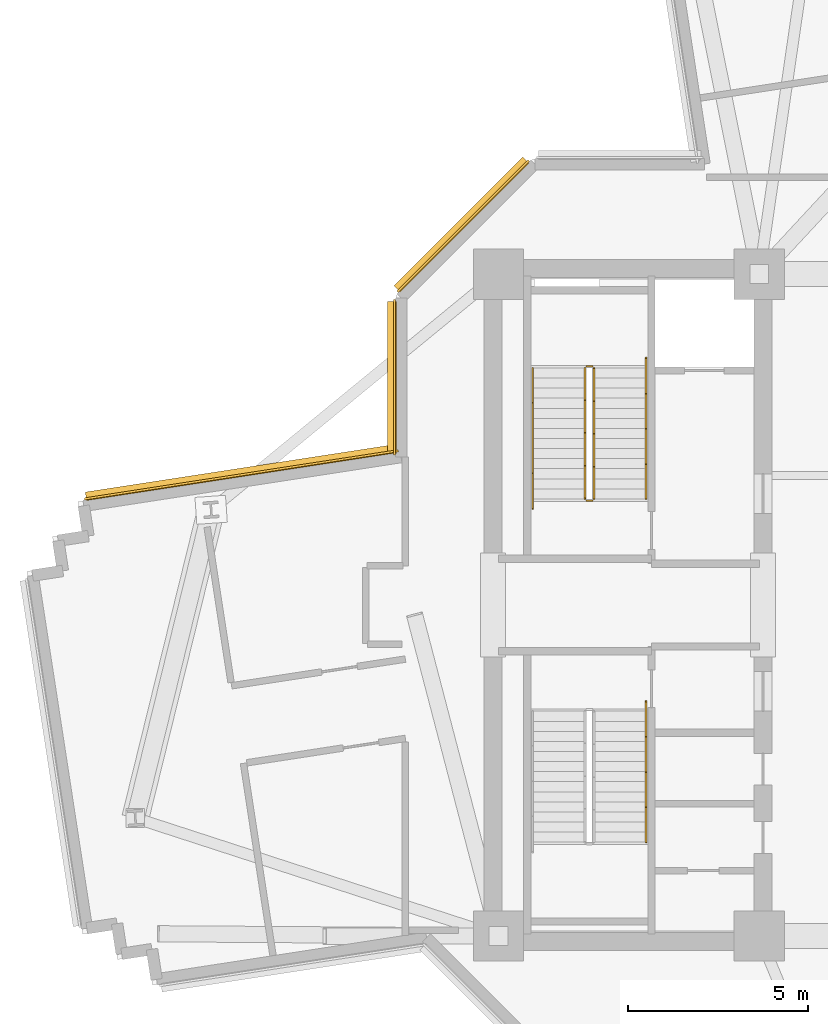
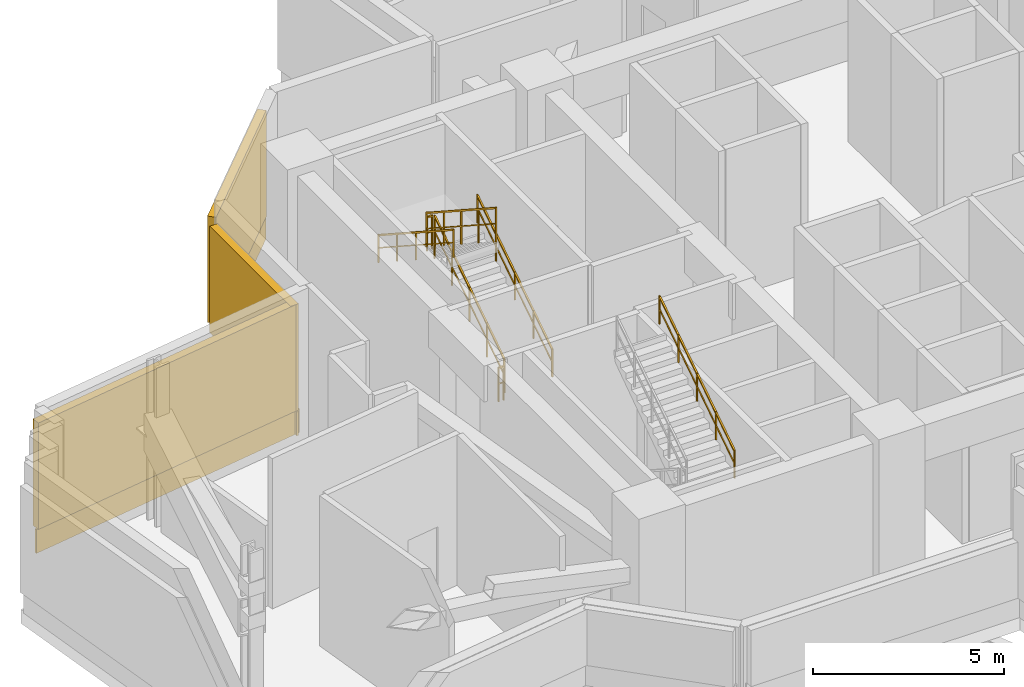
# One storey, part 8 of 10: 7 railings, 3 coverings, 3 shading devices.
"""IFC4 building model written with IfcOpenShell, lengths in metres."""

from ifc_helpers import new_model, si_unit, direction, frame, origin, origin_2d, place, context, subcontext, project, spatial, rectangle, extrude, source, transform, mapped, material, layer, layer_set, type_object, element, save


model = new_model("IFC4")

# Units and contexts
model_context = context("Model", 3, precision=1e-05, world=origin(), true_north=direction((0.0, 1.0)))
body_context = subcontext(model_context, "Body", "Model", "MODEL_VIEW")
ifc_project = project(units=[si_unit("LENGTHUNIT", "METRE"), si_unit("AREAUNIT", "SQUARE_METRE"), si_unit("VOLUMEUNIT", "CUBIC_METRE"), si_unit("PLANEANGLEUNIT", "RADIAN"), si_unit("MASSUNIT", "GRAM", prefix="KILO")], contexts=[model_context])

# Site, building, storey
site_placement = place(None, origin())
site = spatial("IfcSite", under=ifc_project, at=site_placement, CompositionType="ELEMENT")
building_placement = place(site_placement, origin())
building = spatial("IfcBuilding", under=site, at=building_placement, Name="Zahravan Cultural Tower", CompositionType="ELEMENT")
storey_placement = place(building_placement, frame((0.0, 0.0, 125.699951171875)))
storey = spatial("IfcBuildingStorey", under=building, at=storey_placement, Name="L28", CompositionType="ELEMENT", Elevation=125.699951171875)

# Railings
ifc_material_1 = material(Name="Steel ASTM A572 Grade 50", Category="steel")
railing_type_1 = type_object("IfcRailingType", Name="RL-STAIR-GRD1150", PredefinedType="BALUSTRADE", material=ifc_material_1)
railing_1_placement = place(storey_placement, frame((24.300048828125, 29.949951171875, 0.18212890625)))
element("IfcRailing", 1, at=railing_1_placement, inside=storey, type_object=railing_type_1, Name="L28 ST-W1 stair guard 1", PredefinedType="BALUSTRADE", context=body_context, shape_type="SweptSolid", body=[
    extrude(rectangle(XDim=0.05, YDim=0.05, at=origin_2d()), frame((0.0, 0.0, 1.0751953125), z_axis=(0.0, 0.83825089185, 0.545284735081), x_axis=(-1.0, 0.0, 0.0)), (0.0, 0.0, 1.0), 4.342529296875),
    extrude(rectangle(XDim=0.032, YDim=0.032, at=origin_2d()), frame((0.0, 0.0, 0.572021484375), z_axis=(0.0, 0.83825089185, 0.545284735081), x_axis=(-1.0, 0.0, 0.0)), (0.0, 0.0, 1.0), 4.342529296875),
    extrude(rectangle(XDim=0.04, YDim=0.04, at=origin_2d()), origin(), (0.0, 0.0, 1.0), 1.10009765625),
    extrude(rectangle(XDim=0.04, YDim=0.04, at=origin_2d()), frame((0.0, 0.91015625, 0.592041015625)), (0.0, 0.0, 1.0), 1.10009765625),
    extrude(rectangle(XDim=0.04, YDim=0.04, at=origin_2d()), frame((0.0, 1.820068359375, 1.18408203125)), (0.0, 0.0, 1.0), 1.10009765625),
    extrude(rectangle(XDim=0.04, YDim=0.04, at=origin_2d()), frame((0.0, 2.72998046875, 1.77587890625)), (0.0, 0.0, 1.0), 1.10009765625),
    extrude(rectangle(XDim=0.04, YDim=0.04, at=origin_2d()), frame((0.0, 3.64013671875, 2.367919921875)), (0.0, 0.0, 1.0), 1.10009765625),
])
railing_2_placement = place(storey_placement, frame((24.25, 33.639892578125, 2.550048828125)))
element("IfcRailing", 2, at=railing_2_placement, inside=storey, type_object=railing_type_1, Name="L28 ST-W1 stair guard 2", PredefinedType="BALUSTRADE", context=body_context, shape_type="SweptSolid", body=[
    extrude(rectangle(XDim=0.05, YDim=0.05, at=origin_2d()), frame((0.0, 0.0, 1.0751953125), z_axis=(-1.0, 0.0, 0.0), x_axis=(0.0, -1.0, 0.0)), (0.0, 0.0, 1.0), 0.14990234375),
    extrude(rectangle(XDim=0.032, YDim=0.032, at=origin_2d()), frame((0.0, 0.0, 0.572021484375), z_axis=(-1.0, 0.0, 0.0), x_axis=(0.0, -1.0, 0.0)), (0.0, 0.0, 1.0), 0.14990234375),
    extrude(rectangle(XDim=0.04, YDim=0.04, at=origin_2d()), origin(), (0.0, 0.0, 1.0), 1.10009765625),
    extrude(rectangle(XDim=0.04, YDim=0.04, at=origin_2d()), frame((-0.14990234375, 0.0, 0.0)), (0.0, 0.0, 1.0), 1.10009765625),
])
railing_3_placement = place(storey_placement, frame((24.050048828125, 33.590087890625, 2.732177734375)))
element("IfcRailing", 3, at=railing_3_placement, inside=storey, type_object=railing_type_1, Name="L28 ST-W1 stair guard 3", PredefinedType="BALUSTRADE", context=body_context, shape_type="SweptSolid", body=[
    extrude(rectangle(XDim=0.05, YDim=0.05, at=origin_2d()), frame((0.0, 0.0, 1.0751953125), z_axis=(0.0, -0.83825089185, 0.545284735081), x_axis=(1.0, 0.0, 0.0)), (0.0, 0.0, 1.0), 4.342529296875),
    extrude(rectangle(XDim=0.032, YDim=0.032, at=origin_2d()), frame((0.0, 0.0, 0.572021484375), z_axis=(0.0, -0.83825089185, 0.545284735081), x_axis=(1.0, 0.0, 0.0)), (0.0, 0.0, 1.0), 4.342529296875),
    extrude(rectangle(XDim=0.04, YDim=0.04, at=origin_2d()), origin(), (0.0, 0.0, 1.0), 1.10009765625),
    extrude(rectangle(XDim=0.04, YDim=0.04, at=origin_2d()), frame((0.0, -0.91015625, 0.592041015625)), (0.0, 0.0, 1.0), 1.10009765625),
    extrude(rectangle(XDim=0.04, YDim=0.04, at=origin_2d()), frame((0.0, -1.820068359375, 1.18408203125)), (0.0, 0.0, 1.0), 1.10009765625),
    extrude(rectangle(XDim=0.04, YDim=0.04, at=origin_2d()), frame((0.0, -2.72998046875, 1.77587890625)), (0.0, 0.0, 1.0), 1.10009765625),
    extrude(rectangle(XDim=0.04, YDim=0.04, at=origin_2d()), frame((0.0, -3.64013671875, 2.367919921875)), (0.0, 0.0, 1.0), 1.10009765625),
])
railing_4_placement = place(storey_placement, frame((24.25, 29.89990234375, 0.0)))
element("IfcRailing", 4, at=railing_4_placement, inside=storey, type_object=railing_type_1, Name="L28 ST-W1 stair guard 4", PredefinedType="BALUSTRADE", context=body_context, shape_type="SweptSolid", body=[
    extrude(rectangle(XDim=0.05, YDim=0.05, at=origin_2d()), frame((0.0, 0.0, 1.0751953125), z_axis=(-1.0, 0.0, 0.0), x_axis=(0.0, -1.0, 0.0)), (0.0, 0.0, 1.0), 0.14990234375),
    extrude(rectangle(XDim=0.032, YDim=0.032, at=origin_2d()), frame((0.0, 0.0, 0.572021484375), z_axis=(-1.0, 0.0, 0.0), x_axis=(0.0, -1.0, 0.0)), (0.0, 0.0, 1.0), 0.14990234375),
    extrude(rectangle(XDim=0.04, YDim=0.04, at=origin_2d()), origin(), (0.0, 0.0, 1.0), 1.10009765625),
    extrude(rectangle(XDim=0.04, YDim=0.04, at=origin_2d()), frame((-0.14990234375, 0.0, 0.0)), (0.0, 0.0, 1.0), 1.10009765625),
])
railing_type_2 = type_object("IfcRailingType", Name="RL-STAIR-HR900", PredefinedType="HANDRAIL", material=ifc_material_1)
railing_5_placement = place(storey_placement, frame((25.75, 29.949951171875, 0.18212890625)))
element("IfcRailing", 5, at=railing_5_placement, inside=storey, type_object=railing_type_2, Name="L28 ST-W1 stair handrail 1", PredefinedType="HANDRAIL", context=body_context, shape_type="SweptSolid", body=[
    extrude(rectangle(XDim=0.05, YDim=0.05, at=origin_2d()), frame((0.0, 0.0, 0.875), z_axis=(0.0, 0.838253921411, 0.545280077794), x_axis=(-1.0, 0.0, 0.0)), (0.0, 0.0, 1.0), 4.676513671875),
    extrude(rectangle(XDim=0.032, YDim=0.032, at=origin_2d()), frame((0.0, 0.0, 0.468017578125), z_axis=(0.0, 0.838253921411, 0.545280077794), x_axis=(-1.0, 0.0, 0.0)), (0.0, 0.0, 1.0), 4.676513671875),
    extrude(rectangle(XDim=0.04, YDim=0.04, at=origin_2d()), origin(), (0.0, 0.0, 1.0), 0.89990234375),
    extrude(rectangle(XDim=0.04, YDim=0.04, at=origin_2d()), frame((0.0, 0.97998046875, 0.637451171875)), (0.0, 0.0, 1.0), 0.89990234375),
    extrude(rectangle(XDim=0.04, YDim=0.04, at=origin_2d()), frame((0.0, 1.9599609375, 1.27490234375)), (0.0, 0.0, 1.0), 0.89990234375),
    extrude(rectangle(XDim=0.04, YDim=0.04, at=origin_2d()), frame((0.0, 2.940185546875, 1.91259765625)), (0.0, 0.0, 1.0), 0.89990234375),
    extrude(rectangle(XDim=0.04, YDim=0.04, at=origin_2d()), frame((0.0, 3.920166015625, 2.550048828125)), (0.0, 0.0, 1.0), 0.89990234375),
])
railing_6_placement = place(storey_placement, frame((22.60009765625, 33.590087890625, 2.732177734375)))
element("IfcRailing", 6, at=railing_6_placement, inside=storey, type_object=railing_type_2, Name="L28 ST-W1 stair handrail 2", PredefinedType="HANDRAIL", context=body_context, shape_type="SweptSolid", body=[
    extrude(rectangle(XDim=0.05, YDim=0.05, at=origin_2d()), frame((0.0, 0.0, 0.875), z_axis=(0.0, -0.838253921411, 0.545280077794), x_axis=(1.0, 0.0, 0.0)), (0.0, 0.0, 1.0), 4.676513671875),
    extrude(rectangle(XDim=0.032, YDim=0.032, at=origin_2d()), frame((0.0, 0.0, 0.468017578125), z_axis=(0.0, -0.838253921411, 0.545280077794), x_axis=(1.0, 0.0, 0.0)), (0.0, 0.0, 1.0), 4.676513671875),
    extrude(rectangle(XDim=0.04, YDim=0.04, at=origin_2d()), origin(), (0.0, 0.0, 1.0), 0.89990234375),
    extrude(rectangle(XDim=0.04, YDim=0.04, at=origin_2d()), frame((0.0, -0.97998046875, 0.637451171875)), (0.0, 0.0, 1.0), 0.89990234375),
    extrude(rectangle(XDim=0.04, YDim=0.04, at=origin_2d()), frame((0.0, -1.9599609375, 1.27490234375)), (0.0, 0.0, 1.0), 0.89990234375),
    extrude(rectangle(XDim=0.04, YDim=0.04, at=origin_2d()), frame((0.0, -2.940185546875, 1.91259765625)), (0.0, 0.0, 1.0), 0.89990234375),
    extrude(rectangle(XDim=0.04, YDim=0.04, at=origin_2d()), frame((0.0, -3.920166015625, 2.550048828125)), (0.0, 0.0, 1.0), 0.89990234375),
])
railing_7_placement = place(storey_placement, frame((25.75, 20.409912109375, 2.732177734375)))
element("IfcRailing", 7, at=railing_7_placement, inside=storey, type_object=railing_type_2, Name="L28 ST-W2 stair handrail 2", PredefinedType="HANDRAIL", context=body_context, shape_type="SweptSolid", body=[
    extrude(rectangle(XDim=0.05, YDim=0.05, at=origin_2d()), frame((0.0, 0.0, 0.875), z_axis=(0.0, 0.838253921411, 0.545280077794), x_axis=(-1.0, 0.0, 0.0)), (0.0, 0.0, 1.0), 4.676513671875),
    extrude(rectangle(XDim=0.032, YDim=0.032, at=origin_2d()), frame((0.0, 0.0, 0.468017578125), z_axis=(0.0, 0.838253921411, 0.545280077794), x_axis=(-1.0, 0.0, 0.0)), (0.0, 0.0, 1.0), 4.676513671875),
    extrude(rectangle(XDim=0.04, YDim=0.04, at=origin_2d()), origin(), (0.0, 0.0, 1.0), 0.89990234375),
    extrude(rectangle(XDim=0.04, YDim=0.04, at=origin_2d()), frame((0.0, 0.97998046875, 0.637451171875)), (0.0, 0.0, 1.0), 0.89990234375),
    extrude(rectangle(XDim=0.04, YDim=0.04, at=origin_2d()), frame((0.0, 1.9599609375, 1.27490234375)), (0.0, 0.0, 1.0), 0.89990234375),
    extrude(rectangle(XDim=0.04, YDim=0.04, at=origin_2d()), frame((0.0, 2.940185546875, 1.91259765625)), (0.0, 0.0, 1.0), 0.89990234375),
    extrude(rectangle(XDim=0.04, YDim=0.04, at=origin_2d()), frame((0.0, 3.920166015625, 2.550048828125)), (0.0, 0.0, 1.0), 0.89990234375),
])

# Coverings
ifc_material_2 = material(Name="Terracotta ceramic cladding", Category="masonry")
ifc_layer = layer(ifc_material_2, 0.06005859375)
ifc_layer_set = layer_set([ifc_layer], Name="Terracotta ceramic cladding")
covering_type = type_object("IfcCoveringType", Name="COV-CLAD-TC60", PredefinedType="CLADDING", material=ifc_layer_set)
shared_shape_1 = source(origin(), body_context, "Body", "SweptSolid", [
    extrude(rectangle(XDim=5.157958984375, YDim=0.06005859375, at=origin_2d()), origin(), (0.0, 0.0, 1.0), 0.760009765625),
])
covering_1_placement = place(storey_placement, frame((20.668212890625, 37.53173828125, 0.02001953125), z_axis=(0.0, 0.0, 1.0), x_axis=(0.707106781187, 0.707106781187, 0.0)))
element("IfcCovering", 8, at=covering_1_placement, inside=storey, type_object=covering_type, Name="L28 Terracotta Spandrel Cladding 40", PredefinedType="CLADDING", context=body_context, shape_type="MappedRepresentation", body=[
    mapped(shared_shape_1, transform((0.0, 0.0, 0.0), x_axis=(1.0, 0.0, 0.0), y_axis=(0.0, 1.0, 0.0), z_axis=(0.0, 0.0, 1.0), scale=1.0)),
])
shared_shape_2 = source(origin(), body_context, "Body", "SweptSolid", [
    extrude(rectangle(XDim=8.823486328125, YDim=0.06005859375, at=origin_2d()), origin(), (0.0, 0.0, 1.0), 0.760009765625),
])
covering_2_placement = place(storey_placement, frame((14.501953125, 30.62060546875, 0.02001953125), z_axis=(0.0, 0.0, 1.0), x_axis=(0.988388045954, 0.151950882248, 0.0)))
element("IfcCovering", 9, at=covering_2_placement, inside=storey, type_object=covering_type, Name="L28 Terracotta Spandrel Cladding 38", PredefinedType="CLADDING", context=body_context, shape_type="MappedRepresentation", body=[
    mapped(shared_shape_2, transform((0.0, 0.0, 0.0), x_axis=(1.0, 0.0, 0.0), y_axis=(0.0, 1.0, 0.0), z_axis=(0.0, 0.0, 1.0), scale=1.0)),
])

# Shading device
ifc_material_3 = material(Name="Architectural terracotta fin", Category="masonry")
shading_device_type = type_object("IfcShadingDeviceType", Name="SHD-LOUVRE-BAND", PredefinedType="JALOUSIE", material=ifc_material_3)
shared_shape_3 = source(origin(), body_context, "Body", "SweptSolid", [
    extrude(rectangle(XDim=8.723388671875, YDim=0.239990234375, at=origin_2d()), origin(), (0.0, 0.0, 1.0), 3.39990234375),
])
shading_device_1_placement = place(storey_placement, frame((14.4921875, 30.684814453125, 0.780029296875), z_axis=(0.0, 0.0, 1.0), x_axis=(0.988388045954, 0.151950882248, 0.0)))
element("IfcShadingDevice", 10, at=shading_device_1_placement, inside=storey, type_object=shading_device_type, Name="L28 Terracotta Acoustic Louvre 14", PredefinedType="JALOUSIE", context=body_context, shape_type="MappedRepresentation", body=[
    mapped(shared_shape_3, transform((0.0, 0.0, 0.0), x_axis=(1.0, 0.0, 0.0), y_axis=(0.0, 1.0, 0.0), z_axis=(0.0, 0.0, 1.0), scale=1.0)),
])

# Covering
shared_shape_4 = source(origin(), body_context, "Body", "SweptSolid", [
    extrude(rectangle(XDim=4.326416015625, YDim=0.06005859375, at=origin_2d()), origin(), (0.0, 0.0, 1.0), 0.760009765625),
])
covering_3_placement = place(storey_placement, frame((18.7548828125, 33.328857421875, 0.02001953125), z_axis=(0.0, 0.0, 1.0), x_axis=(0.0, 1.0, 0.0)))
element("IfcCovering", 11, at=covering_3_placement, inside=storey, type_object=covering_type, Name="L28 Terracotta Spandrel Cladding 39", PredefinedType="CLADDING", context=body_context, shape_type="MappedRepresentation", body=[
    mapped(shared_shape_4, transform((0.0, 0.0, 0.0), x_axis=(1.0, 0.0, 0.0), y_axis=(0.0, 1.0, 0.0), z_axis=(0.0, 0.0, 1.0), scale=1.0)),
])

# Shading devices
shared_shape_5 = source(origin(), body_context, "Body", "SweptSolid", [
    extrude(rectangle(XDim=4.226318359375, YDim=0.239990234375, at=origin_2d()), origin(), (0.0, 0.0, 1.0), 3.39990234375),
])
shading_device_2_placement = place(storey_placement, frame((18.68994140625, 33.328857421875, 0.780029296875), z_axis=(0.0, 0.0, 1.0), x_axis=(0.0, 1.0, 0.0)))
element("IfcShadingDevice", 12, at=shading_device_2_placement, inside=storey, type_object=shading_device_type, Name="L28 Terracotta Acoustic Louvre 15", PredefinedType="JALOUSIE", context=body_context, shape_type="MappedRepresentation", body=[
    mapped(shared_shape_5, transform((0.0, 0.0, 0.0), x_axis=(1.0, 0.0, 0.0), y_axis=(0.0, 1.0, 0.0), z_axis=(0.0, 0.0, 1.0), scale=1.0)),
])
shared_shape_6 = source(origin(), body_context, "Body", "SweptSolid", [
    extrude(rectangle(XDim=5.05810546875, YDim=0.239990234375, at=origin_2d()), origin(), (0.0, 0.0, 1.0), 3.39990234375),
])
shading_device_3_placement = place(storey_placement, frame((20.622314453125, 37.577880859375, 0.780029296875), z_axis=(0.0, 0.0, 1.0), x_axis=(0.707106781187, 0.707106781187, 0.0)))
element("IfcShadingDevice", 13, at=shading_device_3_placement, inside=storey, type_object=shading_device_type, Name="L28 Terracotta Acoustic Louvre 16", PredefinedType="JALOUSIE", context=body_context, shape_type="MappedRepresentation", body=[
    mapped(shared_shape_6, transform((0.0, 0.0, 0.0), x_axis=(1.0, 0.0, 0.0), y_axis=(0.0, 1.0, 0.0), z_axis=(0.0, 0.0, 1.0), scale=1.0)),
])

save(model, "model.ifc")
